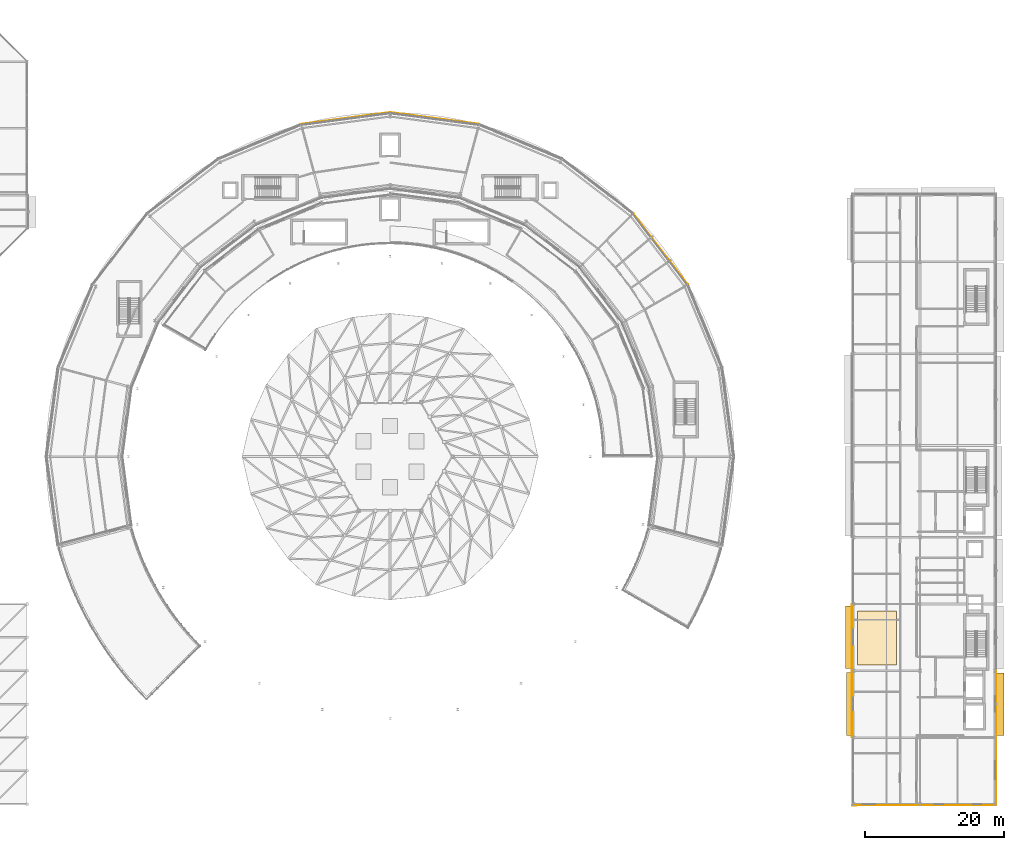
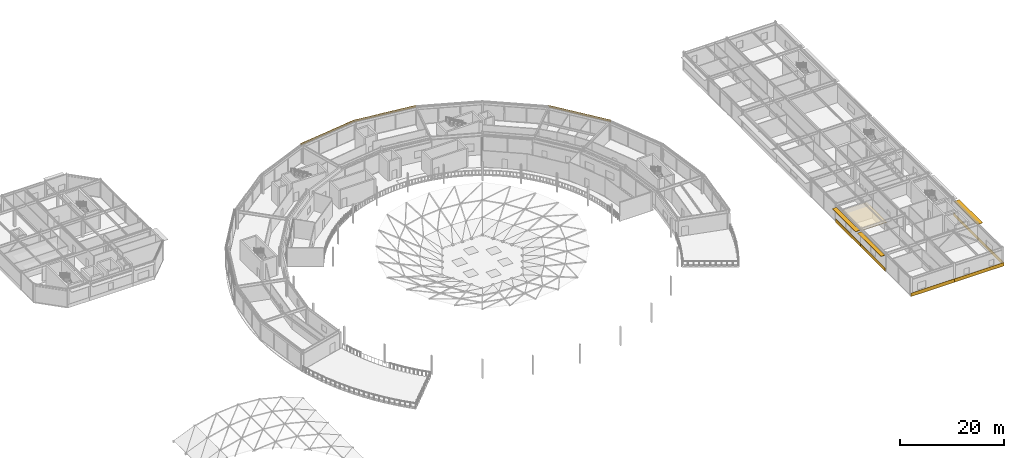
# One storey, part 112 of 116: 10 coverings, 3 shading devices.
"""IFC4 building model written with IfcOpenShell, lengths in metres."""

from ifc_helpers import new_model, si_unit, direction, frame, origin, origin_2d, place, context, subcontext, project, spatial, polyline, rectangle, outline, extrude, material, layer, layer_set, type_object, element, save


model = new_model("IFC4")

# Units and contexts
model_context = context("Model", 3, precision=1e-05, world=origin(), true_north=direction((0.0, 1.0)))
body_context = subcontext(model_context, "Body", "Model", "MODEL_VIEW")
ifc_project = project(units=[si_unit("LENGTHUNIT", "METRE"), si_unit("AREAUNIT", "SQUARE_METRE"), si_unit("VOLUMEUNIT", "CUBIC_METRE"), si_unit("PLANEANGLEUNIT", "RADIAN"), si_unit("MASSUNIT", "GRAM", prefix="KILO")], contexts=[model_context])

# Site, building, storey
site_placement = place(None, origin())
site = spatial("IfcSite", under=ifc_project, at=site_placement, CompositionType="ELEMENT")
building_placement = place(site_placement, origin())
building = spatial("IfcBuilding", under=site, at=building_placement, Name="Almandine Court Research Institute", CompositionType="ELEMENT")
storey_placement = place(building_placement, frame((0.0, 0.0, 14.35009765625)))
storey = spatial("IfcBuildingStorey", under=building, at=storey_placement, Name="L03", CompositionType="ELEMENT", Elevation=14.35009765625)

# Coverings
ifc_material_1 = material(Name="Mineral Fibre Acoustic Suspended Ceiling Tile")
ifc_layer_1 = layer(ifc_material_1, 0.02490234375)
ifc_layer_set_1 = layer_set([ifc_layer_1], Name="Mineral Fibre Acoustic Suspended Ceiling Tile")
covering_type_1 = type_object("IfcCoveringType", Name="Cov-CEIL-ACOU", PredefinedType="CEILING", material=ifc_layer_set_1)
covering_1_placement = place(storey_placement, frame((0.0, 0.0, 3.0498046875)))
element("IfcCovering", 1, at=covering_1_placement, inside=storey, type_object=covering_type_1, Name="L03 Write-Up Suite Acoustic Ceiling", PredefinedType="CEILING", context=body_context, shape_type="SweptSolid", body=[
    extrude(outline(polyline([(154.199951171875, 26.0), (159.800048828125, 26.0), (159.800048828125, 33.800048828125), (154.199951171875, 33.800048828125), (154.199951171875, 26.0)])), origin(), (0.0, 0.0, 1.0), 0.025146484375),
])
ifc_material_2 = material(Name="Extruded Cream-Ochre Seismic Terracotta Spandrel", Category="masonry")
ifc_layer_2 = layer(ifc_material_2, 0.054931640625)
ifc_layer_set_2 = layer_set([ifc_layer_2], Name="Extruded Cream-Ochre Seismic Terracotta Spandrel")
covering_type_2 = type_object("IfcCoveringType", Name="Cov-CLAD-TERR", PredefinedType="CLADDING", material=ifc_layer_set_2)
for number, where, z_axis, x_axis, name in (
    (2, (153.428955078125, 20.39990234375, 0.02001953125), (0.0, 0.0, 1.0), (0.0, 1.0, 0.0), "L03 Facade Spandrel Cladding Band 153"),
    (3, (153.428955078125, 30.0, 0.02001953125), (0.0, 0.0, 1.0), (0.0, 1.0, 0.0), "L03 Facade Spandrel Cladding Band 154"),
    (4, (174.1708984375, 20.39990234375, 0.02001953125), (0.0, 0.0, 1.0), (0.0, -1.0, 0.0), "L03 Facade Spandrel Cladding Band 166"),
):
    element("IfcCovering", number, at=place(storey_placement, frame(where, z_axis=z_axis, x_axis=x_axis)), inside=storey, type_object=covering_type_2, Name=name, PredefinedType="CLADDING", context=body_context, shape_type="SweptSolid", body=[
        extrude(rectangle(XDim=9.592041015625, YDim=0.054931640625, at=origin_2d()), origin(), (0.0, 0.0, 1.0), 0.800048828125),
    ])
covering_2_placement = place(storey_placement, frame((174.1708984375, 10.873046875, 0.02001953125), z_axis=(0.0, 0.0, 1.0), x_axis=(0.0, -1.0, 0.0)))
element("IfcCovering", 5, at=covering_2_placement, inside=storey, type_object=covering_type_2, Name="L03 Facade Spandrel Cladding Band 167", PredefinedType="CLADDING", context=body_context, shape_type="SweptSolid", body=[
    extrude(rectangle(XDim=9.447021484375, YDim=0.054931640625, at=origin_2d()), origin(), (0.0, 0.0, 1.0), 0.800048828125),
])
covering_3_placement = place(storey_placement, frame((168.675048828125, 5.830078125, 0.02001953125), z_axis=(0.0, 0.0, 1.0), x_axis=(-1.0, 0.0, 0.0)))
element("IfcCovering", 6, at=covering_3_placement, inside=storey, type_object=covering_type_2, Name="L03 Facade Spandrel Cladding Band 168", PredefinedType="CLADDING", context=body_context, shape_type="SweptSolid", body=[
    extrude(rectangle(XDim=10.94091796875, YDim=0.054931640625, at=origin_2d()), origin(), (0.0, 0.0, 1.0), 0.800048828125),
])
covering_4_placement = place(storey_placement, frame((158.325927734375, 5.830078125, 0.02001953125), z_axis=(0.0, 0.0, 1.0), x_axis=(-1.0, 0.0, 0.0)))
element("IfcCovering", 7, at=covering_4_placement, inside=storey, type_object=covering_type_2, Name="L03 Facade Spandrel Cladding Band 169", PredefinedType="CLADDING", context=body_context, shape_type="SweptSolid", body=[
    extrude(rectangle(XDim=9.740966796875, YDim=0.054931640625, at=origin_2d()), origin(), (0.0, 0.0, 1.0), 0.800048828125),
])
for number, where, z_axis, x_axis, name in (
    (8, (125.919921875, 85.864990234375, 3.97998046875), (0.0, 0.0, 1.0), (0.608761429009, -0.793353340291, 0.0), "L03 Drum Stacked Terracotta Ring Band 02"),
    (9, (93.404052734375, 104.638916015625, 3.97998046875), (0.0, 0.0, 1.0), (0.991444861374, -0.13052619222, 0.0), "L03 Drum Stacked Terracotta Ring Band 05"),
    (10, (80.595947265625, 104.638916015625, 3.97998046875), (0.0, 0.0, 1.0), (0.991444861374, 0.13052619222, 0.0), "L03 Drum Stacked Terracotta Ring Band 06"),
):
    element("IfcCovering", number, at=place(storey_placement, frame(where, z_axis=z_axis, x_axis=x_axis)), inside=storey, type_object=covering_type_2, Name=name, PredefinedType="CLADDING", context=body_context, shape_type="SweptSolid", body=[
        extrude(rectangle(XDim=12.8779296875, YDim=0.054931640625, at=origin_2d()), origin(), (0.0, 0.0, 1.0), 0.419921875),
    ])

# Shading devices
ifc_material_3 = material(Name="Precast GFRC Chhajja Sunshade and Acoustic Louvre", Category="concrete")
ifc_layer_3 = layer(ifc_material_3, 0.080078125)
ifc_layer_set_3 = layer_set([ifc_layer_3], Name="Precast GFRC Chhajja Sunshade and Acoustic Louvre")
shading_device_type_1 = type_object("IfcShadingDeviceType", Name="Shd-SD-23", PredefinedType="AWNING", material=ifc_layer_set_3)
shading_device_1_placement = place(storey_placement, frame((174.7099609375, 20.39990234375, 3.603759765625), z_axis=(0.0, 0.0, 1.0), x_axis=(0.0, -1.0, 0.0)))
element("IfcShadingDevice", 11, at=shading_device_1_placement, inside=storey, type_object=shading_device_type_1, Name="L03 Projecting Chhajja Sunshade 115", PredefinedType="AWNING", context=body_context, shape_type="SweptSolid", body=[
    extrude(rectangle(XDim=9.001953125, YDim=1.14990234375, at=origin_2d()), origin(), (0.0, 0.0, 1.0), 0.080078125),
])
ifc_layer_4 = layer(ifc_material_3, 0.080078125)
ifc_layer_set_4 = layer_set([ifc_layer_4], Name="Precast GFRC Chhajja Sunshade and Acoustic Louvre")
shading_device_type_2 = type_object("IfcShadingDeviceType", Name="Shd-SD-31", PredefinedType="AWNING", material=ifc_layer_set_4)
shading_device_2_placement = place(storey_placement, frame((153.0400390625, 20.39990234375, 3.61181640625), z_axis=(0.0, 0.0, 1.0), x_axis=(0.0, 1.0, 0.0)))
element("IfcShadingDevice", 12, at=shading_device_2_placement, inside=storey, type_object=shading_device_type_2, Name="L03 Projecting Chhajja Sunshade 102", PredefinedType="AWNING", context=body_context, shape_type="SweptSolid", body=[
    extrude(rectangle(XDim=9.08203125, YDim=0.85009765625, at=origin_2d()), origin(), (0.0, 0.0, 1.0), 0.080078125),
])
ifc_layer_5 = layer(ifc_material_3, 0.080078125)
ifc_layer_set_5 = layer_set([ifc_layer_5], Name="Precast GFRC Chhajja Sunshade and Acoustic Louvre")
shading_device_type_3 = type_object("IfcShadingDeviceType", Name="Shd-SD-58", PredefinedType="AWNING", material=ifc_layer_set_5)
shading_device_3_placement = place(storey_placement, frame((152.989990234375, 30.0, 3.61181640625), z_axis=(0.0, 0.0, 1.0), x_axis=(0.0, 1.0, 0.0)))
element("IfcShadingDevice", 13, at=shading_device_3_placement, inside=storey, type_object=shading_device_type_3, Name="L03 Projecting Chhajja Sunshade 103", PredefinedType="AWNING", context=body_context, shape_type="SweptSolid", body=[
    extrude(rectangle(XDim=9.001953125, YDim=0.949951171875, at=origin_2d()), origin(), (0.0, 0.0, 1.0), 0.080078125),
])

save(model, "model.ifc")
